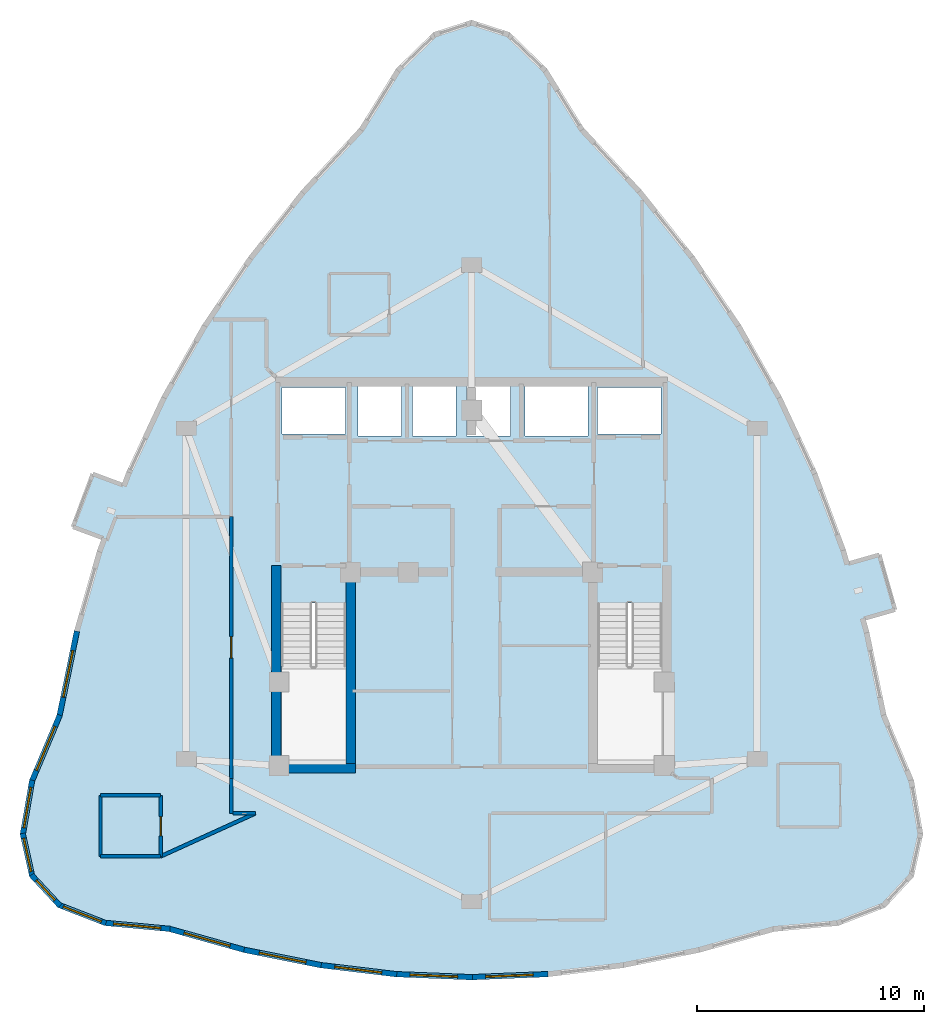
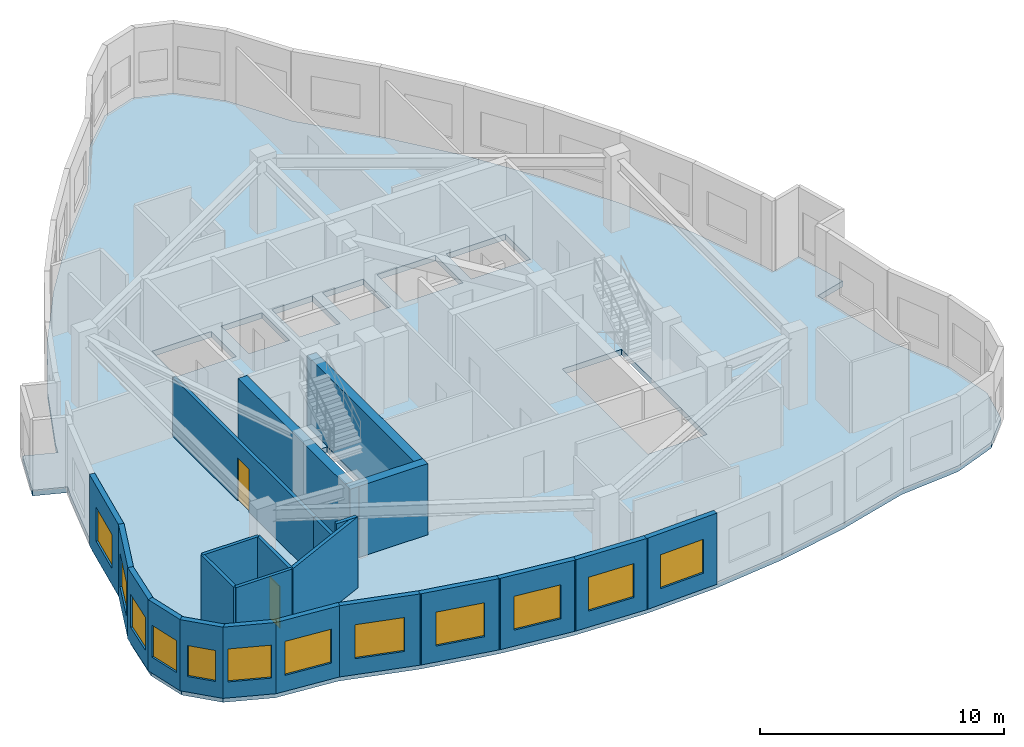
# One storey, part 4 of 9: 23 walls, 12 windows, 2 doors, 1 slab, 14 openings.
"""IFC4 building model written with IfcOpenShell, lengths in metres."""

from ifc_helpers import new_model, si_unit, direction, frame, frame_2d, origin, place, context, subcontext, project, spatial, polyline, rectangle, outline, extrude, material, layer, layer_set, type_object, element, fill, save


model = new_model("IFC4")

# Units and contexts
model_context = context("Model", 3, precision=1e-05, world=origin(), true_north=direction((0.0, 1.0)))
body_context = subcontext(model_context, "Body", "Model", "MODEL_VIEW")
ifc_project = project(units=[si_unit("LENGTHUNIT", "METRE"), si_unit("AREAUNIT", "SQUARE_METRE"), si_unit("VOLUMEUNIT", "CUBIC_METRE"), si_unit("PLANEANGLEUNIT", "RADIAN"), si_unit("MASSUNIT", "GRAM", prefix="KILO")], contexts=[model_context])

# Site, building, storey
site_placement = place(None, origin())
site = spatial("IfcSite", under=ifc_project, at=site_placement, CompositionType="ELEMENT")
building_placement = place(site_placement, origin())
building = spatial("IfcBuilding", under=site, at=building_placement, Name="Miruveldt Soraemaru", CompositionType="ELEMENT")
storey_placement = place(building_placement, frame((0.0, 0.0, 263.550048828125)))
storey = spatial("IfcBuildingStorey", under=building, at=storey_placement, Name="L72", CompositionType="ELEMENT", Elevation=263.550048828125)

# Slab
ifc_material_1 = material(Name="Concrete C40/50 (40 MPa)", Category="concrete")
ifc_layer_1 = layer(ifc_material_1, 0.284912109375, Name="Concrete C40/50 (40 MPa)", Category="concrete")
ifc_layer_set_1 = layer_set([ifc_layer_1], Name="Concrete C40/50 (40 MPa)")
slab_type = type_object("IfcSlabType", Name="SLAB-RES4-285", PredefinedType="FLOOR", material=ifc_layer_set_1)
slab_placement = place(storey_placement, frame((0.0, 0.0, -0.28515625)))
element("IfcSlab", 1, at=slab_placement, inside=storey, type_object=slab_type, Name="L72 Structural Floor Slab", PredefinedType="FLOOR", context=body_context, shape_type="SweptSolid", body=[
    extrude(outline(polyline([(61.427490234375, 41.40869140625), (62.189453125, 37.706298828125), (63.401123046875, 34.83349609375), (63.80517578125, 32.48291015625), (63.401123046875, 30.654541015625), (62.189453125, 29.3486328125), (60.169921875, 28.565185546875), (57.342529296875, 28.303955078125), (54.007080078125, 27.3701171875), (50.67138671875, 26.702880859375), (47.335693359375, 26.302490234375), (44.0, 26.169189453125), (40.664306640625, 26.302490234375), (37.32861328125, 26.702880859375), (33.992919921875, 27.3701171875), (30.657470703125, 28.303955078125), (27.830078125, 28.565185546875), (25.810546875, 29.3486328125), (24.598876953125, 30.654541015625), (24.19482421875, 32.48291015625), (24.598876953125, 34.83349609375), (25.810546875, 37.706298828125), (26.572509765625, 41.40869140625), (27.59326171875, 44.977783203125), (28.23291015625, 46.695556640625), (27.7978515625, 45.52734375), (26.410888671875, 46.0439453125), (27.28125, 48.380126953125), (28.668212890625, 47.863525390625), (28.872802734375, 48.413330078125), (30.4111328125, 51.71533203125), (32.20849609375, 54.884033203125), (34.264404296875, 57.91943359375), (36.579345703125, 60.8212890625), (39.1533203125, 63.589599609375), (40.768798828125, 66.201416015625), (42.384521484375, 67.7685546875), (44.0, 68.290771484375), (45.615478515625, 67.7685546875), (47.231201171875, 66.201416015625), (48.8466796875, 63.589599609375), (51.420654296875, 60.8212890625), (53.735595703125, 57.91943359375), (55.79150390625, 54.884033203125), (57.5888671875, 51.71533203125), (59.127197265625, 48.413330078125), (60.40673828125, 44.977783203125), (60.570068359375, 44.406494140625), (61.992919921875, 44.813720703125), (62.68701171875, 42.386962890625), (61.26416015625, 41.97998046875), (60.9169921875, 43.193115234375), (61.427490234375, 41.40869140625)]), holes=[polyline([(35.614990234375, 35.6650390625), (38.43505859375, 35.6650390625), (38.43505859375, 42.68505859375), (35.614990234375, 42.68505859375), (35.614990234375, 35.6650390625)]), polyline([(49.56494140625, 35.6650390625), (52.385009765625, 35.6650390625), (52.385009765625, 42.68505859375), (49.56494140625, 42.68505859375), (49.56494140625, 35.6650390625)]), polyline([(38.445068359375, 50.135009765625), (38.445068359375, 52.205078125), (35.635009765625, 52.205078125), (35.635009765625, 50.135009765625), (38.445068359375, 50.135009765625)]), polyline([(52.364990234375, 50.135009765625), (52.364990234375, 52.205078125), (49.554931640625, 52.205078125), (49.554931640625, 50.135009765625), (52.364990234375, 50.135009765625)]), polyline([(40.9150390625, 50.06494140625), (40.9150390625, 52.3349609375), (38.985107421875, 52.3349609375), (38.985107421875, 50.06494140625), (40.9150390625, 50.06494140625)]), polyline([(43.31494140625, 50.06494140625), (43.31494140625, 52.3349609375), (41.385009765625, 52.3349609375), (41.385009765625, 50.06494140625), (43.31494140625, 50.06494140625)]), polyline([(45.715087890625, 50.06494140625), (45.715087890625, 52.3349609375), (43.784912109375, 52.3349609375), (43.784912109375, 50.06494140625), (45.715087890625, 50.06494140625)]), polyline([(49.135009765625, 50.06494140625), (49.135009765625, 52.3349609375), (46.364990234375, 52.3349609375), (46.364990234375, 50.06494140625), (49.135009765625, 50.06494140625)])]), origin(), (0.0, 0.0, 1.0), 0.28515625),
])

# Walls
ifc_material_2 = material(Name="Concrete C50/60 (50 MPa)", Category="concrete")
ifc_layer_2 = layer(ifc_material_2, 0.419921875, Name="Concrete C50/60 (50 MPa)", Category="concrete")
ifc_layer_set_2 = layer_set([ifc_layer_2], Name="Concrete C50/60 (50 MPa)")
wall_type_1 = type_object("IfcWallType", Name="WALL-CW-420", PredefinedType="SHEAR", material=ifc_layer_set_2)
wall_1_placement = place(storey_placement, frame((35.179931640625, 35.389892578125, 0.0), z_axis=(0.0, 0.0, 1.0), x_axis=(1.0, 0.0, 0.0)))
element("IfcWall", 2, at=wall_1_placement, inside=storey, type_object=wall_type_1, Name="L72 Central Core Shear Wall S1", PredefinedType="SHEAR", context=body_context, shape_type="SweptSolid", body=[
    extrude(rectangle(XDim=3.690185546875, YDim=0.419921875, at=frame_2d((1.84521484375, 0.0))), origin(), (0.0, 0.0, 1.0), 3.56494140625),
])
wall_2_placement = place(storey_placement, frame((35.389892578125, 35.179931640625, 0.0), z_axis=(0.0, 0.0, 1.0), x_axis=(0.0, 1.0, 0.0)))
element("IfcWall", 3, at=wall_2_placement, inside=storey, type_object=wall_type_1, Name="L72 Central Core Shear Wall W1", PredefinedType="SHEAR", context=body_context, shape_type="SweptSolid", body=[
    extrude(rectangle(XDim=9.170166015625, YDim=0.419921875, at=frame_2d((4.5849609375, 0.0))), origin(), (0.0, 0.0, 1.0), 3.56494140625),
])
wall_3_placement = place(storey_placement, frame((38.659912109375, 35.39990234375, 0.0), z_axis=(0.0, 0.0, 1.0), x_axis=(0.0, 1.0, 0.0)))
element("IfcWall", 4, at=wall_3_placement, inside=storey, type_object=wall_type_1, Name="L72 Central Core Shear Wall SW-INT", PredefinedType="SHEAR", context=body_context, shape_type="SweptSolid", body=[
    extrude(rectangle(XDim=8.9501953125, YDim=0.419921875, at=frame_2d((4.47509765625, 0.0))), origin(), (0.0, 0.0, 1.0), 3.56494140625),
])

# Wall, opening, window
ifc_material_3 = material(Name="Precast concrete C45/55 (45 MPa)", Category="concrete")
ifc_layer_3 = layer(ifc_material_3, 0.239990234375, Name="Precast concrete C45/55 (45 MPa)", Category="concrete")
ifc_layer_set_3 = layer_set([ifc_layer_3], Name="Precast concrete C45/55 (45 MPa)")
wall_type_2 = type_object("IfcWallType", Name="WALL-EXT-PC240", PredefinedType="SOLIDWALL", material=ifc_layer_set_3)
wall_4_placement = place(storey_placement, frame((26.57958984375, 41.443115234375, 0.0), z_axis=(0.0, 0.0, 1.0), x_axis=(-0.201588507815, -0.979470302519, 0.0)))
wall_4 = element("IfcWall", 5, at=wall_4_placement, inside=storey, type_object=wall_type_2, Name="L72 Precast Concrete Facade Wall 14", PredefinedType="SOLIDWALL", context=body_context, shape_type="SweptSolid", body=[
    extrude(rectangle(XDim=3.85009765625, YDim=0.239990234375, at=frame_2d((1.925048828125, 0.0))), origin(), (0.0, 0.0, 1.0), 3.56494140625),
])
opening_1_placement = place(wall_4_placement, frame((0.875, 0.0, 0.800048828125)))
opening_1 = element("IfcOpeningElement", 6, at=opening_1_placement, cuts=wall_4, Name="Opening WN-1", PredefinedType="OPENING", context=body_context, shape_type="SweptSolid", body=[
    extrude(rectangle(XDim=2.10009765625, YDim=1.699951171875, at=frame_2d((1.050048828125, 0.85009765625))), frame((0.0, 0.1298828125, 0.0), z_axis=(0.0, -1.0, 0.0), x_axis=(1.0, 0.0, 0.0)), (0.0, 0.0, 1.0), 0.260009765625),
])
ifc_material_4 = material(Name="Triple low-e insulated glazing", Category="glass")
window_type_1 = type_object("IfcWindowType", Name="WIN-PUNCH-2100x1700", PartitioningType="SINGLE_PANEL", PredefinedType="WINDOW", material=ifc_material_4)
window_1_placement = place(opening_1_placement, origin())
window_1 = element("IfcWindow", 7, at=window_1_placement, inside=storey, type_object=window_type_1, Name="L72 Punched Triple-Glazed Window 14.1", OverallHeight=1.699951171875, OverallWidth=2.10009765625, PartitioningType="SINGLE_PANEL", PredefinedType="WINDOW", context=body_context, shape_type="SweptSolid", body=[
    extrude(rectangle(XDim=2.10009765625, YDim=1.699951171875, at=frame_2d((1.050048828125, 0.85009765625))), frame((0.0, 0.030029296875, 0.0), z_axis=(0.0, -1.0, 0.0), x_axis=(1.0, 0.0, 0.0)), (0.0, 0.0, 1.0), 0.06005859375),
])
fill(opening_1, window_1)

wall_5_placement = place(storey_placement, frame((25.82421875, 37.738525390625, 0.0), z_axis=(0.0, 0.0, 1.0), x_axis=(-0.388662919485, -0.921380016615, 0.0)))
wall_5 = element("IfcWall", 8, at=wall_5_placement, inside=storey, type_object=wall_type_2, Name="L72 Precast Concrete Facade Wall 15", PredefinedType="SOLIDWALL", context=body_context, shape_type="SweptSolid", body=[
    extrude(rectangle(XDim=3.18798828125, YDim=0.239990234375, at=frame_2d((1.593994140625, 0.0))), origin(), (0.0, 0.0, 1.0), 3.56494140625),
])
opening_2_placement = place(wall_5_placement, frame((0.5439453125, 0.0, 0.800048828125)))
opening_2 = element("IfcOpeningElement", 9, at=opening_2_placement, cuts=wall_5, Name="Opening WN-1", PredefinedType="OPENING", context=body_context, shape_type="SweptSolid", body=[
    extrude(rectangle(XDim=2.10009765625, YDim=1.699951171875, at=frame_2d((1.050048828125, 0.85009765625))), frame((0.0, 0.1298828125, 0.0), z_axis=(0.0, -1.0, 0.0), x_axis=(1.0, 0.0, 0.0)), (0.0, 0.0, 1.0), 0.260009765625),
])
window_2_placement = place(opening_2_placement, origin())
window_2 = element("IfcWindow", 10, at=window_2_placement, inside=storey, type_object=window_type_1, Name="L72 Punched Triple-Glazed Window 15.1", OverallHeight=1.699951171875, OverallWidth=2.10009765625, PartitioningType="SINGLE_PANEL", PredefinedType="WINDOW", context=body_context, shape_type="SweptSolid", body=[
    extrude(rectangle(XDim=2.10009765625, YDim=1.699951171875, at=frame_2d((1.050048828125, 0.85009765625))), frame((0.0, 0.030029296875, 0.0), z_axis=(0.0, -1.0, 0.0), x_axis=(1.0, 0.0, 0.0)), (0.0, 0.0, 1.0), 0.06005859375),
])
fill(opening_2, window_2)

wall_6_placement = place(storey_placement, frame((24.604736328125, 34.867919921875, 0.0), z_axis=(0.0, 0.0, 1.0), x_axis=(-0.169347449278, -0.985556412096, 0.0)))
wall_6 = element("IfcWall", 11, at=wall_6_placement, inside=storey, type_object=wall_type_2, Name="L72 Precast Concrete Facade Wall 16", PredefinedType="SOLIDWALL", context=body_context, shape_type="SweptSolid", body=[
    extrude(rectangle(XDim=2.455078125, YDim=0.239990234375, at=frame_2d((1.2275390625, 0.0))), origin(), (0.0, 0.0, 1.0), 3.56494140625),
])
opening_3_placement = place(wall_6_placement, frame((0.327880859375, 0.0, 0.800048828125)))
opening_3 = element("IfcOpeningElement", 12, at=opening_3_placement, cuts=wall_6, Name="Opening WN-2", PredefinedType="OPENING", context=body_context, shape_type="SweptSolid", body=[
    extrude(rectangle(XDim=1.800048828125, YDim=1.64990234375, at=frame_2d((0.89990234375, 0.824951171875))), frame((0.0, 0.1298828125, 0.0), z_axis=(0.0, -1.0, 0.0), x_axis=(1.0, 0.0, 0.0)), (0.0, 0.0, 1.0), 0.260009765625),
])
window_type_2 = type_object("IfcWindowType", Name="WIN-PUNCH-1800x1650", PartitioningType="SINGLE_PANEL", PredefinedType="WINDOW", material=ifc_material_4)
window_3_placement = place(opening_3_placement, origin())
window_3 = element("IfcWindow", 13, at=window_3_placement, inside=storey, type_object=window_type_2, Name="L72 Punched Triple-Glazed Window 16.1", OverallHeight=1.64990234375, OverallWidth=1.800048828125, PartitioningType="SINGLE_PANEL", PredefinedType="WINDOW", context=body_context, shape_type="SweptSolid", body=[
    extrude(rectangle(XDim=1.800048828125, YDim=1.64990234375, at=frame_2d((0.89990234375, 0.824951171875))), frame((0.0, 0.030029296875, 0.0), z_axis=(0.0, -1.0, 0.0), x_axis=(1.0, 0.0, 0.0)), (0.0, 0.0, 1.0), 0.06005859375),
])
fill(opening_3, window_3)

wall_7_placement = place(storey_placement, frame((24.187255859375, 32.51708984375, 0.0), z_axis=(0.0, 0.0, 1.0), x_axis=(0.2157991576, -0.976437772507, 0.0)))
wall_7 = element("IfcWall", 14, at=wall_7_placement, inside=storey, type_object=wall_type_2, Name="L72 Precast Concrete Facade Wall 17", PredefinedType="SOLIDWALL", context=body_context, shape_type="SweptSolid", body=[
    extrude(rectangle(XDim=1.9423828125, YDim=0.239990234375, at=frame_2d((0.97119140625, 0.0))), origin(), (0.0, 0.0, 1.0), 3.56494140625),
])
opening_4_placement = place(wall_7_placement, frame((0.220947265625, 0.0, 0.800048828125)))
opening_4 = element("IfcOpeningElement", 15, at=opening_4_placement, cuts=wall_7, Name="Opening WN-3", PredefinedType="OPENING", context=body_context, shape_type="SweptSolid", body=[
    extrude(rectangle(XDim=1.5, YDim=1.60009765625, at=frame_2d((0.75, 0.800048828125))), frame((0.0, 0.1298828125, 0.0), z_axis=(0.0, -1.0, 0.0), x_axis=(1.0, 0.0, 0.0)), (0.0, 0.0, 1.0), 0.260009765625),
])
window_type_3 = type_object("IfcWindowType", Name="WIN-PUNCH-1500x1600", PartitioningType="SINGLE_PANEL", PredefinedType="WINDOW", material=ifc_material_4)
window_4_placement = place(opening_4_placement, origin())
window_4 = element("IfcWindow", 16, at=window_4_placement, inside=storey, type_object=window_type_3, Name="L72 Punched Triple-Glazed Window 17.1", OverallHeight=1.60009765625, OverallWidth=1.5, PartitioningType="SINGLE_PANEL", PredefinedType="WINDOW", context=body_context, shape_type="SweptSolid", body=[
    extrude(rectangle(XDim=1.5, YDim=1.60009765625, at=frame_2d((0.75, 0.800048828125))), frame((0.0, 0.030029296875, 0.0), z_axis=(0.0, -1.0, 0.0), x_axis=(1.0, 0.0, 0.0)), (0.0, 0.0, 1.0), 0.06005859375),
])
fill(opening_4, window_4)

wall_8_placement = place(storey_placement, frame((24.574951171875, 30.680419921875, 0.0), z_axis=(0.0, 0.0, 1.0), x_axis=(0.680177974589, -0.733047012738, 0.0)))
wall_8 = element("IfcWall", 17, at=wall_8_placement, inside=storey, type_object=wall_type_2, Name="L72 Precast Concrete Facade Wall 18", PredefinedType="SOLIDWALL", context=body_context, shape_type="SweptSolid", body=[
    extrude(rectangle(XDim=1.851806640625, YDim=0.239990234375, at=frame_2d((0.92578125, 0.0))), origin(), (0.0, 0.0, 1.0), 3.56494140625),
])
opening_5_placement = place(wall_8_placement, frame((0.325927734375, 0.0, 0.780029296875)))
opening_5 = element("IfcOpeningElement", 18, at=opening_5_placement, cuts=wall_8, Name="Opening WN-4", PredefinedType="OPENING", context=body_context, shape_type="SweptSolid", body=[
    extrude(rectangle(XDim=1.199951171875, YDim=1.550048828125, at=frame_2d((0.60009765625, 0.77490234375))), frame((0.0, 0.1298828125, 0.0), z_axis=(0.0, -1.0, 0.0), x_axis=(1.0, 0.0, 0.0)), (0.0, 0.0, 1.0), 0.260009765625),
])
window_type_4 = type_object("IfcWindowType", Name="WIN-PUNCH-1200x1550", PartitioningType="SINGLE_PANEL", PredefinedType="WINDOW", material=ifc_material_4)
window_5_placement = place(opening_5_placement, origin())
window_5 = element("IfcWindow", 19, at=window_5_placement, inside=storey, type_object=window_type_4, Name="L72 Punched Triple-Glazed Window 18.1", OverallHeight=1.550048828125, OverallWidth=1.199951171875, PartitioningType="SINGLE_PANEL", PredefinedType="WINDOW", context=body_context, shape_type="SweptSolid", body=[
    extrude(rectangle(XDim=1.199951171875, YDim=1.550048828125, at=frame_2d((0.60009765625, 0.77490234375))), frame((0.0, 0.030029296875, 0.0), z_axis=(0.0, -1.0, 0.0), x_axis=(1.0, 0.0, 0.0)), (0.0, 0.0, 1.0), 0.06005859375),
])
fill(opening_5, window_5)

wall_9_placement = place(storey_placement, frame((25.778076171875, 29.361328125, 0.0), z_axis=(0.0, 0.0, 1.0), x_axis=(0.932289188826, -0.361713793486, 0.0)))
wall_9 = element("IfcWall", 20, at=wall_9_placement, inside=storey, type_object=wall_type_2, Name="L72 Precast Concrete Facade Wall 19", PredefinedType="SOLIDWALL", context=body_context, shape_type="SweptSolid", body=[
    extrude(rectangle(XDim=2.236083984375, YDim=0.239990234375, at=frame_2d((1.1181640625, 0.0))), origin(), (0.0, 0.0, 1.0), 3.56494140625),
])
opening_6_placement = place(wall_9_placement, frame((0.218017578125, 0.0, 0.800048828125)))
opening_6 = element("IfcOpeningElement", 21, at=opening_6_placement, cuts=wall_9, Name="Opening WN-2", PredefinedType="OPENING", context=body_context, shape_type="SweptSolid", body=[
    extrude(rectangle(XDim=1.800048828125, YDim=1.64990234375, at=frame_2d((0.89990234375, 0.824951171875))), frame((0.0, 0.1298828125, 0.0), z_axis=(0.0, -1.0, 0.0), x_axis=(1.0, 0.0, 0.0)), (0.0, 0.0, 1.0), 0.260009765625),
])
window_6_placement = place(opening_6_placement, origin())
window_6 = element("IfcWindow", 22, at=window_6_placement, inside=storey, type_object=window_type_2, Name="L72 Punched Triple-Glazed Window 19.1", OverallHeight=1.64990234375, OverallWidth=1.800048828125, PartitioningType="SINGLE_PANEL", PredefinedType="WINDOW", context=body_context, shape_type="SweptSolid", body=[
    extrude(rectangle(XDim=1.800048828125, YDim=1.64990234375, at=frame_2d((0.89990234375, 0.824951171875))), frame((0.0, 0.030029296875, 0.0), z_axis=(0.0, -1.0, 0.0), x_axis=(1.0, 0.0, 0.0)), (0.0, 0.0, 1.0), 0.06005859375),
])
fill(opening_6, window_6)

wall_10_placement = place(storey_placement, frame((27.795166015625, 28.568359375, 0.0), z_axis=(0.0, 0.0, 1.0), x_axis=(0.995762187916, -0.09196556484, 0.0)))
wall_10 = element("IfcWall", 23, at=wall_10_placement, inside=storey, type_object=wall_type_2, Name="L72 Precast Concrete Facade Wall 20", PredefinedType="SOLIDWALL", context=body_context, shape_type="SweptSolid", body=[
    extrude(rectangle(XDim=2.90966796875, YDim=0.239990234375, at=frame_2d((1.454833984375, 0.0))), origin(), (0.0, 0.0, 1.0), 3.56494140625),
])
opening_7_placement = place(wall_10_placement, frame((0.405029296875, 0.0, 0.800048828125)))
opening_7 = element("IfcOpeningElement", 24, at=opening_7_placement, cuts=wall_10, Name="Opening WN-1", PredefinedType="OPENING", context=body_context, shape_type="SweptSolid", body=[
    extrude(rectangle(XDim=2.10009765625, YDim=1.699951171875, at=frame_2d((1.050048828125, 0.85009765625))), frame((0.0, 0.1298828125, 0.0), z_axis=(0.0, -1.0, 0.0), x_axis=(1.0, 0.0, 0.0)), (0.0, 0.0, 1.0), 0.260009765625),
])
window_7_placement = place(opening_7_placement, origin())
window_7 = element("IfcWindow", 25, at=window_7_placement, inside=storey, type_object=window_type_1, Name="L72 Punched Triple-Glazed Window 20.1", OverallHeight=1.699951171875, OverallWidth=2.10009765625, PartitioningType="SINGLE_PANEL", PredefinedType="WINDOW", context=body_context, shape_type="SweptSolid", body=[
    extrude(rectangle(XDim=2.10009765625, YDim=1.699951171875, at=frame_2d((1.050048828125, 0.85009765625))), frame((0.0, 0.030029296875, 0.0), z_axis=(0.0, -1.0, 0.0), x_axis=(1.0, 0.0, 0.0)), (0.0, 0.0, 1.0), 0.06005859375),
])
fill(opening_7, window_7)

wall_11_placement = place(storey_placement, frame((30.623779296875, 28.3134765625, 0.0), z_axis=(0.0, 0.0, 1.0), x_axis=(0.962957561597, -0.26965298916, 0.0)))
wall_11 = element("IfcWall", 26, at=wall_11_placement, inside=storey, type_object=wall_type_2, Name="L72 Precast Concrete Facade Wall 21", PredefinedType="SOLIDWALL", context=body_context, shape_type="SweptSolid", body=[
    extrude(rectangle(XDim=3.53369140625, YDim=0.239990234375, at=frame_2d((1.766845703125, 0.0))), origin(), (0.0, 0.0, 1.0), 3.56494140625),
])
opening_8_placement = place(wall_11_placement, frame((0.717041015625, 0.0, 0.800048828125)))
opening_8 = element("IfcOpeningElement", 27, at=opening_8_placement, cuts=wall_11, Name="Opening WN-1", PredefinedType="OPENING", context=body_context, shape_type="SweptSolid", body=[
    extrude(rectangle(XDim=2.10009765625, YDim=1.699951171875, at=frame_2d((1.050048828125, 0.85009765625))), frame((0.0, 0.1298828125, 0.0), z_axis=(0.0, -1.0, 0.0), x_axis=(1.0, 0.0, 0.0)), (0.0, 0.0, 1.0), 0.260009765625),
])
window_8_placement = place(opening_8_placement, origin())
window_8 = element("IfcWindow", 28, at=window_8_placement, inside=storey, type_object=window_type_1, Name="L72 Punched Triple-Glazed Window 21.1", OverallHeight=1.699951171875, OverallWidth=2.10009765625, PartitioningType="SINGLE_PANEL", PredefinedType="WINDOW", context=body_context, shape_type="SweptSolid", body=[
    extrude(rectangle(XDim=2.10009765625, YDim=1.699951171875, at=frame_2d((1.050048828125, 0.85009765625))), frame((0.0, 0.030029296875, 0.0), z_axis=(0.0, -1.0, 0.0), x_axis=(1.0, 0.0, 0.0)), (0.0, 0.0, 1.0), 0.06005859375),
])
fill(opening_8, window_8)

wall_12_placement = place(storey_placement, frame((33.958740234375, 27.376953125, 0.0), z_axis=(0.0, 0.0, 1.0), x_axis=(0.980577970883, -0.196129658691, 0.0)))
wall_12 = element("IfcWall", 29, at=wall_12_placement, inside=storey, type_object=wall_type_2, Name="L72 Precast Concrete Facade Wall 22", PredefinedType="SOLIDWALL", context=body_context, shape_type="SweptSolid", body=[
    extrude(rectangle(XDim=3.4716796875, YDim=0.239990234375, at=frame_2d((1.73583984375, 0.0))), origin(), (0.0, 0.0, 1.0), 3.56494140625),
])
opening_9_placement = place(wall_12_placement, frame((0.68603515625, 0.0, 0.800048828125)))
opening_9 = element("IfcOpeningElement", 30, at=opening_9_placement, cuts=wall_12, Name="Opening WN-1", PredefinedType="OPENING", context=body_context, shape_type="SweptSolid", body=[
    extrude(rectangle(XDim=2.10009765625, YDim=1.699951171875, at=frame_2d((1.050048828125, 0.85009765625))), frame((0.0, 0.1298828125, 0.0), z_axis=(0.0, -1.0, 0.0), x_axis=(1.0, 0.0, 0.0)), (0.0, 0.0, 1.0), 0.260009765625),
])
window_9_placement = place(opening_9_placement, origin())
window_9 = element("IfcWindow", 31, at=window_9_placement, inside=storey, type_object=window_type_1, Name="L72 Punched Triple-Glazed Window 22.1", OverallHeight=1.699951171875, OverallWidth=2.10009765625, PartitioningType="SINGLE_PANEL", PredefinedType="WINDOW", context=body_context, shape_type="SweptSolid", body=[
    extrude(rectangle(XDim=2.10009765625, YDim=1.699951171875, at=frame_2d((1.050048828125, 0.85009765625))), frame((0.0, 0.030029296875, 0.0), z_axis=(0.0, -1.0, 0.0), x_axis=(1.0, 0.0, 0.0)), (0.0, 0.0, 1.0), 0.06005859375),
])
fill(opening_9, window_9)

wall_13_placement = place(storey_placement, frame((37.2939453125, 26.70703125, 0.0), z_axis=(0.0, 0.0, 1.0), x_axis=(0.992874817346, -0.119162062248, 0.0)))
wall_13 = element("IfcWall", 32, at=wall_13_placement, inside=storey, type_object=wall_type_2, Name="L72 Precast Concrete Facade Wall 23", PredefinedType="SOLIDWALL", context=body_context, shape_type="SweptSolid", body=[
    extrude(rectangle(XDim=3.4296875, YDim=0.239990234375, at=frame_2d((1.71484375, 0.0))), origin(), (0.0, 0.0, 1.0), 3.56494140625),
])
opening_10_placement = place(wall_13_placement, frame((0.6650390625, 0.0, 0.800048828125)))
opening_10 = element("IfcOpeningElement", 33, at=opening_10_placement, cuts=wall_13, Name="Opening WN-1", PredefinedType="OPENING", context=body_context, shape_type="SweptSolid", body=[
    extrude(rectangle(XDim=2.10009765625, YDim=1.699951171875, at=frame_2d((1.050048828125, 0.85009765625))), frame((0.0, 0.1298828125, 0.0), z_axis=(0.0, -1.0, 0.0), x_axis=(1.0, 0.0, 0.0)), (0.0, 0.0, 1.0), 0.260009765625),
])
window_10_placement = place(opening_10_placement, origin())
window_10 = element("IfcWindow", 34, at=window_10_placement, inside=storey, type_object=window_type_1, Name="L72 Punched Triple-Glazed Window 23.1", OverallHeight=1.699951171875, OverallWidth=2.10009765625, PartitioningType="SINGLE_PANEL", PredefinedType="WINDOW", context=body_context, shape_type="SweptSolid", body=[
    extrude(rectangle(XDim=2.10009765625, YDim=1.699951171875, at=frame_2d((1.050048828125, 0.85009765625))), frame((0.0, 0.030029296875, 0.0), z_axis=(0.0, -1.0, 0.0), x_axis=(1.0, 0.0, 0.0)), (0.0, 0.0, 1.0), 0.06005859375),
])
fill(opening_10, window_10)

wall_14_placement = place(storey_placement, frame((40.62939453125, 26.303955078125, 0.0), z_axis=(0.0, 0.0, 1.0), x_axis=(0.999200844289, -0.039970899069, 0.0)))
wall_14 = element("IfcWall", 35, at=wall_14_placement, inside=storey, type_object=wall_type_2, Name="L72 Precast Concrete Facade Wall 24", PredefinedType="SOLIDWALL", context=body_context, shape_type="SweptSolid", body=[
    extrude(rectangle(XDim=3.408203125, YDim=0.239990234375, at=frame_2d((1.7041015625, 0.0))), origin(), (0.0, 0.0, 1.0), 3.56494140625),
])
opening_11_placement = place(wall_14_placement, frame((0.654052734375, 0.0, 0.800048828125)))
opening_11 = element("IfcOpeningElement", 36, at=opening_11_placement, cuts=wall_14, Name="Opening WN-1", PredefinedType="OPENING", context=body_context, shape_type="SweptSolid", body=[
    extrude(rectangle(XDim=2.10009765625, YDim=1.699951171875, at=frame_2d((1.050048828125, 0.85009765625))), frame((0.0, 0.1298828125, 0.0), z_axis=(0.0, -1.0, 0.0), x_axis=(1.0, 0.0, 0.0)), (0.0, 0.0, 1.0), 0.260009765625),
])
window_11_placement = place(opening_11_placement, origin())
window_11 = element("IfcWindow", 37, at=window_11_placement, inside=storey, type_object=window_type_1, Name="L72 Punched Triple-Glazed Window 24.1", OverallHeight=1.699951171875, OverallWidth=2.10009765625, PartitioningType="SINGLE_PANEL", PredefinedType="WINDOW", context=body_context, shape_type="SweptSolid", body=[
    extrude(rectangle(XDim=2.10009765625, YDim=1.699951171875, at=frame_2d((1.050048828125, 0.85009765625))), frame((0.0, 0.030029296875, 0.0), z_axis=(0.0, -1.0, 0.0), x_axis=(1.0, 0.0, 0.0)), (0.0, 0.0, 1.0), 0.06005859375),
])
fill(opening_11, window_11)

wall_15_placement = place(storey_placement, frame((43.965087890625, 26.167724609375, 0.0), z_axis=(0.0, 0.0, 1.0), x_axis=(0.999200844289, 0.039970899069, 0.0)))
wall_15 = element("IfcWall", 38, at=wall_15_placement, inside=storey, type_object=wall_type_2, Name="L72 Precast Concrete Facade Wall 25", PredefinedType="SOLIDWALL", context=body_context, shape_type="SweptSolid", body=[
    extrude(rectangle(XDim=3.408203125, YDim=0.239990234375, at=frame_2d((1.7041015625, 0.0))), origin(), (0.0, 0.0, 1.0), 3.56494140625),
])
opening_12_placement = place(wall_15_placement, frame((0.654052734375, 0.0, 0.800048828125)))
opening_12 = element("IfcOpeningElement", 39, at=opening_12_placement, cuts=wall_15, Name="Opening WN-1", PredefinedType="OPENING", context=body_context, shape_type="SweptSolid", body=[
    extrude(rectangle(XDim=2.10009765625, YDim=1.699951171875, at=frame_2d((1.050048828125, 0.85009765625))), frame((0.0, 0.1298828125, 0.0), z_axis=(0.0, -1.0, 0.0), x_axis=(1.0, 0.0, 0.0)), (0.0, 0.0, 1.0), 0.260009765625),
])
window_12_placement = place(opening_12_placement, origin())
window_12 = element("IfcWindow", 40, at=window_12_placement, inside=storey, type_object=window_type_1, Name="L72 Punched Triple-Glazed Window 25.1", OverallHeight=1.699951171875, OverallWidth=2.10009765625, PartitioningType="SINGLE_PANEL", PredefinedType="WINDOW", context=body_context, shape_type="SweptSolid", body=[
    extrude(rectangle(XDim=2.10009765625, YDim=1.699951171875, at=frame_2d((1.050048828125, 0.85009765625))), frame((0.0, 0.030029296875, 0.0), z_axis=(0.0, -1.0, 0.0), x_axis=(1.0, 0.0, 0.0)), (0.0, 0.0, 1.0), 0.06005859375),
])
fill(opening_12, window_12)

# Wall, opening, door
ifc_material_5 = material(Name="Gypsum plasterboard lining", Category="gypsum")
ifc_layer_4 = layer(ifc_material_5, 0.14990234375, Name="Gypsum plasterboard lining", Category="gypsum")
ifc_layer_set_4 = layer_set([ifc_layer_4], Name="Gypsum plasterboard lining")
wall_type_3 = type_object("IfcWallType", Name="WALL-INT-PLUMB", PredefinedType="PLUMBINGWALL", material=ifc_layer_set_4)
wall_16_placement = place(storey_placement, frame((30.27490234375, 31.5009765625, 0.0), z_axis=(0.0, 0.0, 1.0), x_axis=(0.0, 1.0, 0.0)))
wall_16 = element("IfcWall", 41, at=wall_16_placement, inside=storey, type_object=wall_type_3, Name="L72 Partition Wall 17", PredefinedType="PLUMBINGWALL", context=body_context, shape_type="SweptSolid", body=[
    extrude(rectangle(XDim=2.699951171875, YDim=0.14990234375, at=frame_2d((1.35009765625, 0.0))), origin(), (0.0, 0.0, 1.0), 3.56494140625),
])
opening_13_placement = place(wall_16_placement, frame((0.909912109375, 0.0, 0.0)))
opening_13 = element("IfcOpeningElement", 42, at=opening_13_placement, cuts=wall_16, Name="Opening FD3", PredefinedType="OPENING", context=body_context, shape_type="SweptSolid", body=[
    extrude(rectangle(XDim=0.85009765625, YDim=2.10009765625, at=frame_2d((0.425048828125, 1.050048828125))), frame((0.0, 0.0849609375, 0.0), z_axis=(0.0, -1.0, 0.0), x_axis=(1.0, 0.0, 0.0)), (0.0, 0.0, 1.0), 0.169921875),
])
ifc_material_6 = material(Name="Anodised aluminium EN AW-6063 T6", Category="aluminium")
door_type_1 = type_object("IfcDoorType", Name="DOOR-FD3-850", OperationType="NOTDEFINED", PredefinedType="DOOR", material=ifc_material_6)
door_1_placement = place(opening_13_placement, origin())
door_1 = element("IfcDoor", 43, at=door_1_placement, inside=storey, type_object=door_type_1, Name="L72 Unit CL02 BTH Door", OperationType="SINGLE_SWING_LEFT", OverallHeight=2.10009765625, OverallWidth=0.85009765625, PredefinedType="DOOR", context=body_context, shape_type="SweptSolid", body=[
    extrude(rectangle(XDim=0.85009765625, YDim=2.10009765625, at=frame_2d((0.425048828125, 1.050048828125))), frame((0.0, 0.02490234375, 0.0), z_axis=(0.0, -1.0, 0.0), x_axis=(1.0, 0.0, 0.0)), (0.0, 0.0, 1.0), 0.050048828125),
])
fill(opening_13, door_1)

# Walls
wall_17_placement = place(storey_placement, frame((27.625, 34.200927734375, 0.0), z_axis=(0.0, 0.0, 1.0), x_axis=(0.0, -1.0, 0.0)))
element("IfcWall", 44, at=wall_17_placement, inside=storey, type_object=wall_type_3, Name="L72 Partition Wall 19", PredefinedType="PLUMBINGWALL", context=body_context, shape_type="SweptSolid", body=[
    extrude(rectangle(XDim=2.699951171875, YDim=0.14990234375, at=frame_2d((1.35009765625, 0.0))), origin(), (0.0, 0.0, 1.0), 3.56494140625),
])
for number, where, z_axis, x_axis, name in (
    (45, (30.27490234375, 34.200927734375, 0.0), (0.0, 0.0, 1.0), (-1.0, 0.0, 0.0), "L72 Partition Wall 18"),
    (46, (27.625, 31.5009765625, 0.0), (0.0, 0.0, 1.0), (1.0, 0.0, 0.0), "L72 Partition Wall 20"),
):
    element("IfcWall", number, at=place(storey_placement, frame(where, z_axis=z_axis, x_axis=x_axis)), inside=storey, type_object=wall_type_3, Name=name, PredefinedType="PLUMBINGWALL", context=body_context, shape_type="SweptSolid", body=[
        extrude(rectangle(XDim=2.64990234375, YDim=0.14990234375, at=frame_2d((1.324951171875, 0.0))), origin(), (0.0, 0.0, 1.0), 3.56494140625),
    ])

# Wall, opening, door
ifc_layer_5 = layer(ifc_material_1, 0.159912109375, Name="Concrete C40/50 (40 MPa)", Category="concrete")
ifc_layer_set_5 = layer_set([ifc_layer_5], Name="Concrete C40/50 (40 MPa)")
wall_type_4 = type_object("IfcWallType", Name="WALL-INT-RC160", PredefinedType="SOLIDWALL", material=ifc_layer_set_5)
wall_18_placement = place(storey_placement, frame((33.39990234375, 46.5, 0.0), z_axis=(0.0, 0.0, 1.0), x_axis=(0.0, -1.0, 0.0)))
wall_18 = element("IfcWall", 47, at=wall_18_placement, inside=storey, type_object=wall_type_4, Name="L72 Partition Wall 4", PredefinedType="SOLIDWALL", context=body_context, shape_type="SweptSolid", body=[
    extrude(rectangle(XDim=11.550048828125, YDim=0.159912109375, at=frame_2d((5.77490234375, 0.0))), origin(), (0.0, 0.0, 1.0), 2.96484375),
])
opening_14_placement = place(wall_18_placement, frame((5.300048828125, 0.0, 0.0)))
opening_14 = element("IfcOpeningElement", 48, at=opening_14_placement, cuts=wall_18, Name="Opening FD2", PredefinedType="OPENING", context=body_context, shape_type="SweptSolid", body=[
    extrude(rectangle(XDim=0.949951171875, YDim=2.14990234375, at=frame_2d((0.47509765625, 1.074951171875))), frame((0.0, 0.08984375, 0.0), z_axis=(0.0, -1.0, 0.0), x_axis=(1.0, 0.0, 0.0)), (0.0, 0.0, 1.0), 0.179931640625),
])
door_type_2 = type_object("IfcDoorType", Name="DOOR-FD2-950", OperationType="NOTDEFINED", PredefinedType="DOOR", material=ifc_material_6)
door_2_placement = place(opening_14_placement, origin())
door_2 = element("IfcDoor", 49, at=door_2_placement, inside=storey, type_object=door_type_2, Name="L72 Unit CL02 Entrance Fire Door", OperationType="SINGLE_SWING_RIGHT", OverallHeight=2.14990234375, OverallWidth=0.949951171875, PredefinedType="DOOR", context=body_context, shape_type="SweptSolid", body=[
    extrude(rectangle(XDim=0.949951171875, YDim=2.14990234375, at=frame_2d((0.47509765625, 1.074951171875))), frame((0.0, 0.02490234375, 0.0), z_axis=(0.0, -1.0, 0.0), x_axis=(1.0, 0.0, 0.0)), (0.0, 0.0, 1.0), 0.050048828125),
])
fill(opening_14, door_2)

# Walls
wall_19_placement = place(storey_placement, frame((34.452880859375, 33.39990234375, 0.0), z_axis=(0.0, 0.0, 1.0), x_axis=(-0.910379230001, -0.413774887568, 0.0)))
element("IfcWall", 50, at=wall_19_placement, inside=storey, type_object=wall_type_4, Name="L72 Partition Closure Return 2", PredefinedType="SOLIDWALL", context=body_context, shape_type="SweptSolid", body=[
    extrude(rectangle(XDim=4.58935546875, YDim=0.159912109375, at=frame_2d((2.294677734375, 0.0))), origin(), (0.0, 0.0, 1.0), 3.56494140625),
])
wall_20_placement = place(storey_placement, frame((33.39990234375, 34.949951171875, 0.0), z_axis=(0.0, 0.0, 1.0), x_axis=(0.0, -1.0, 0.0)))
element("IfcWall", 51, at=wall_20_placement, inside=storey, type_object=wall_type_4, Name="L72 Partition Wall 5", PredefinedType="SOLIDWALL", context=body_context, shape_type="SweptSolid", body=[
    extrude(rectangle(XDim=1.550048828125, YDim=0.159912109375, at=frame_2d((0.77490234375, 0.0))), origin(), (0.0, 0.0, 1.0), 2.96484375),
])
wall_21_placement = place(storey_placement, frame((33.47998046875, 33.39990234375, 0.0), z_axis=(0.0, 0.0, 1.0), x_axis=(1.0, 0.0, 0.0)))
element("IfcWall", 52, at=wall_21_placement, inside=storey, type_object=wall_type_4, Name="L72 Partition Wall 6", PredefinedType="SOLIDWALL", context=body_context, shape_type="SweptSolid", body=[
    extrude(rectangle(XDim=0.972900390625, YDim=0.159912109375, at=frame_2d((0.486328125, 0.0))), origin(), (0.0, 0.0, 1.0), 3.56494140625),
])

save(model, "model.ifc")
